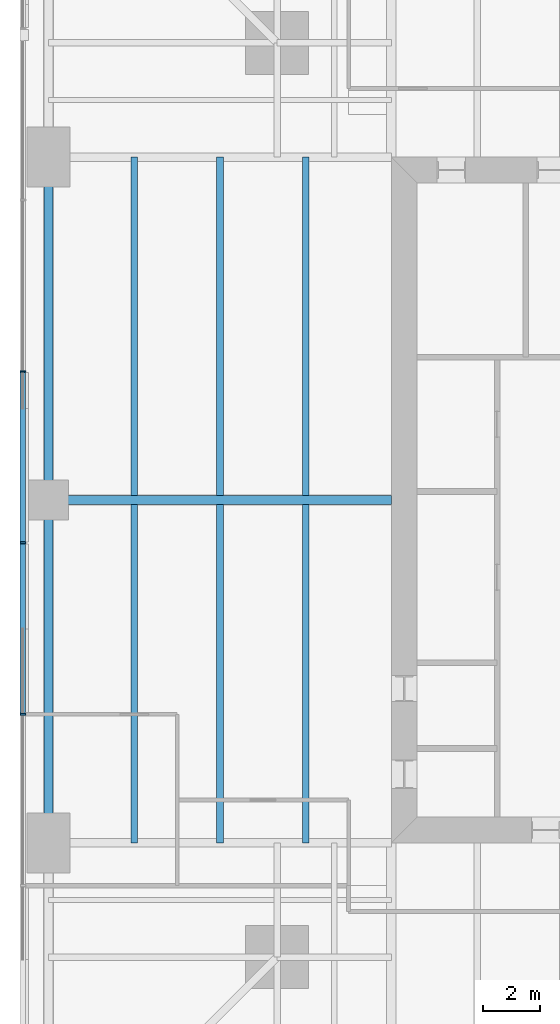
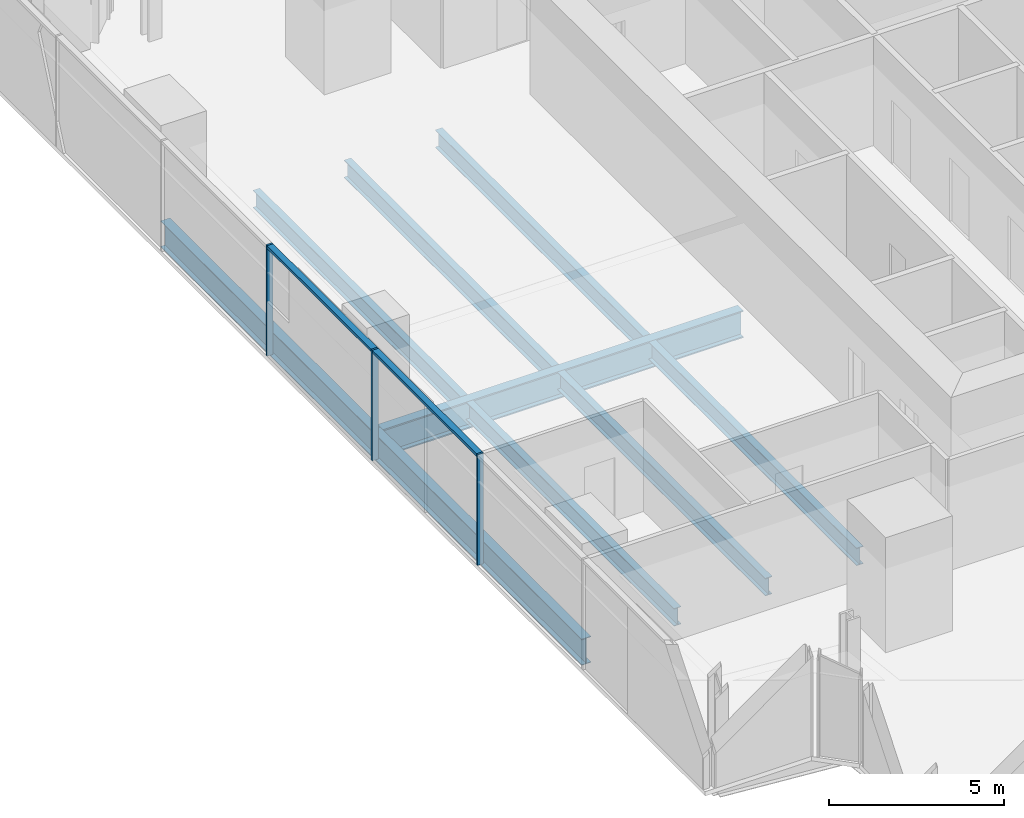
# One storey, part 4 of 13: 9 beams, 5 members, 1 element without a shape of its own.
"""IFC4 building model written with IfcOpenShell, lengths in metres."""

from ifc_helpers import new_model, si_unit, direction, frame, origin, origin_2d, place, context, subcontext, project, spatial, rectangle, i_section, extrude, material, material_profile, profile_set, type_object, element, aggregate, save


model = new_model("IFC4")

# Units and contexts
model_context = context("Model", 3, precision=1e-05, world=origin(), true_north=direction((0.0, 1.0)))
body_context = subcontext(model_context, "Body", "Model", "MODEL_VIEW")
ifc_project = project(units=[si_unit("LENGTHUNIT", "METRE"), si_unit("AREAUNIT", "SQUARE_METRE"), si_unit("VOLUMEUNIT", "CUBIC_METRE"), si_unit("PLANEANGLEUNIT", "RADIAN"), si_unit("MASSUNIT", "GRAM", prefix="KILO")], contexts=[model_context])

# Site, building, storey
site_placement = place(None, origin())
site = spatial("IfcSite", under=ifc_project, at=site_placement, CompositionType="ELEMENT")
building_placement = place(site_placement, origin())
building = spatial("IfcBuilding", under=site, at=building_placement, Name="Fenwick Lantern Interchange", CompositionType="ELEMENT")
storey_placement = place(building_placement, frame((0.0, 0.0, 110.39990234375)))
storey = spatial("IfcBuildingStorey", under=building, at=storey_placement, Name="L25", CompositionType="ELEMENT", Elevation=110.39990234375)

# Beams
ifc_material_1 = material(Name="Steel ASTM A992 Grade 50", Category="steel")
ifc_material_profile_1 = material_profile(ifc_material_1, i_section(OverallWidth=0.3046875, OverallDepth=0.911865234375, WebThickness=0.015869140625, FlangeThickness=0.02392578125, at=origin_2d()), Name="W36X150")
ifc_profile_set_1 = profile_set([ifc_material_profile_1], Name="Steel ASTM A992 Grade 50")
beam_type_1 = type_object("IfcBeamType", Name="EDGE BEAM W36X150", PredefinedType="SPANDREL", material=ifc_profile_set_1)
for number, where, z_axis, x_axis, name in (
    (1, (1.0, 37.0, -0.605712890625), (0.0, -1.0, 0.0), (1.0, 0.0, 0.0), "L25/FR/W/EB2"),
    (2, (1.0, 25.0, -0.605712890625), (0.0, -1.0, 0.0), (1.0, 0.0, 0.0), "L25/FR/W/EB3"),
):
    element("IfcBeam", number, at=place(storey_placement, frame(where, z_axis=z_axis, x_axis=x_axis)), inside=storey, type_object=beam_type_1, Name=name, PredefinedType="SPANDREL", context=body_context, shape_type="SweptSolid", body=[
        extrude(i_section(OverallWidth=0.3046875, OverallDepth=0.911865234375, WebThickness=0.015869140625, FlangeThickness=0.02392578125, at=origin_2d()), origin(), (0.0, 0.0, 1.0), 12.0),
    ])
ifc_material_profile_2 = material_profile(ifc_material_1, i_section(OverallWidth=0.22900390625, OverallDepth=0.612060546875, WebThickness=0.011962890625, FlangeThickness=0.01953125, at=origin_2d()), Name="W24X84")
ifc_profile_set_2 = profile_set([ifc_material_profile_2], Name="Steel ASTM A992 Grade 50")
beam_type_2 = type_object("IfcBeamType", Name="FLOOR BEAM W24X84", PredefinedType="BEAM", material=ifc_profile_set_2)
for number, where, z_axis, x_axis, name in (
    (3, (4.0, 37.0, -0.4560546875), (0.0, -1.0, 0.0), (1.0, 0.0, 0.0), "L25/FR/W/B01"),
    (4, (7.0, 37.0, -0.4560546875), (0.0, -1.0, 0.0), (1.0, 0.0, 0.0), "L25/FR/W/B02"),
    (5, (10.0, 37.0, -0.4560546875), (0.0, -1.0, 0.0), (1.0, 0.0, 0.0), "L25/FR/W/B03"),
    (6, (4.0, 24.844970703125, -0.4560546875), (0.0, -1.0, 0.0), (1.0, 0.0, 0.0), "L25/FR/W/B04"),
    (7, (7.0, 24.844970703125, -0.4560546875), (0.0, -1.0, 0.0), (1.0, 0.0, 0.0), "L25/FR/W/B05"),
    (8, (10.0, 24.844970703125, -0.4560546875), (0.0, -1.0, 0.0), (1.0, 0.0, 0.0), "L25/FR/W/B06"),
):
    element("IfcBeam", number, at=place(storey_placement, frame(where, z_axis=z_axis, x_axis=x_axis)), inside=storey, type_object=beam_type_2, Name=name, PredefinedType="BEAM", context=body_context, shape_type="SweptSolid", body=[
        extrude(i_section(OverallWidth=0.22900390625, OverallDepth=0.612060546875, WebThickness=0.011962890625, FlangeThickness=0.01953125, at=origin_2d()), origin(), (0.0, 0.0, 1.0), 11.844970703125),
    ])
ifc_material_profile_3 = material_profile(ifc_material_1, i_section(OverallWidth=0.309814453125, OverallDepth=0.949951171875, WebThickness=0.0244140625, FlangeThickness=0.0439453125, at=origin_2d()), Name="W36X256")
ifc_profile_set_3 = profile_set([ifc_material_profile_3], Name="Steel ASTM A992 Grade 50")
beam_type_3 = type_object("IfcBeamType", Name="MOMENT-CONNECTED GIRDER W36X256", PredefinedType="BEAM", material=ifc_profile_set_3)
beam_placement = place(storey_placement, frame((1.0, 25.0, -0.625), z_axis=(1.0, 0.0, 0.0), x_axis=(0.0, 1.0, 0.0)))
element("IfcBeam", 9, at=beam_placement, inside=storey, type_object=beam_type_3, Name="L25/FR/W/R02", PredefinedType="BEAM", context=body_context, shape_type="SweptSolid", body=[
    extrude(i_section(OverallWidth=0.309814453125, OverallDepth=0.949951171875, WebThickness=0.0244140625, FlangeThickness=0.0439453125, at=origin_2d()), origin(), (0.0, 0.0, 1.0), 12.0),
])

# Curtain wall, members
ifc_material_2 = material(Name="Aluminium curtain wall frame", Category="aluminium")
curtain_wall_type = type_object("IfcCurtainWallType", Name="OFFICE CURTAIN WALL", PredefinedType="USERDEFINED", material=ifc_material_2)
curtain_wall_placement = place(storey_placement, origin())
curtain_wall = element("IfcCurtainWall", 10, at=curtain_wall_placement, inside=storey, type_object=curtain_wall_type, Name="Office curtain wall 13", ObjectType="OFFICE CURTAIN WALL", PredefinedType="USERDEFINED")
ifc_material_3 = material(Name="Aluminium extrusion", Category="aluminium")
ifc_material_profile_4 = material_profile(ifc_material_3, rectangle(XDim=0.199951171875, YDim=0.06494140625, at=origin_2d()), Name="OFFICE CURTAIN WALL MULLION 65 X 200")
ifc_profile_set_4 = profile_set([ifc_material_profile_4], Name="Aluminium extrusion")
member_type_1 = type_object("IfcMemberType", Name="OFFICE CURTAIN WALL MULLION 65 X 200", PredefinedType="MULLION", material=ifc_profile_set_4)
member_1_placement = place(storey_placement, frame((0.10009765625, 29.5, 0.0), z_axis=(0.0, 0.0, 1.0), x_axis=(1.0, 0.0, 0.0)))
member_1 = element("IfcMember", 11, at=member_1_placement, type_object=member_type_1, Name="L25/CW/13/M03", PredefinedType="MULLION", context=body_context, shape_type="SweptSolid", body=[
    extrude(rectangle(XDim=0.199951171875, YDim=0.06494140625, at=origin_2d()), origin(), (0.0, 0.0, 1.0), 3.85009765625),
])
member_2_placement = place(storey_placement, frame((0.10009765625, 23.5, 0.0), z_axis=(0.0, 0.0, 1.0), x_axis=(1.0, 0.0, 0.0)))
member_2 = element("IfcMember", 12, at=member_2_placement, type_object=member_type_1, Name="L25/CW/13/M04", PredefinedType="MULLION", context=body_context, shape_type="SweptSolid", body=[
    extrude(rectangle(XDim=0.199951171875, YDim=0.06494140625, at=origin_2d()), origin(), (0.0, 0.0, 1.0), 3.85009765625),
])
member_3_placement = place(storey_placement, frame((0.10009765625, 17.5, 0.0), z_axis=(0.0, 0.0, 1.0), x_axis=(1.0, 0.0, 0.0)))
member_3 = element("IfcMember", 13, at=member_3_placement, type_object=member_type_1, Name="L25/CW/13/M05", PredefinedType="MULLION", context=body_context, shape_type="SweptSolid", body=[
    extrude(rectangle(XDim=0.199951171875, YDim=0.06494140625, at=origin_2d()), origin(), (0.0, 0.0, 1.0), 3.85009765625),
])
ifc_material_profile_5 = material_profile(ifc_material_3, rectangle(XDim=0.199951171875, YDim=0.10009765625, at=origin_2d()), Name="OFFICE CURTAIN WALL TRANSOM 100 X 200")
ifc_profile_set_5 = profile_set([ifc_material_profile_5], Name="Aluminium extrusion")
member_type_2 = type_object("IfcMemberType", Name="OFFICE CURTAIN WALL TRANSOM 100 X 200", PredefinedType="MULLION", material=ifc_profile_set_5)
member_4_placement = place(storey_placement, frame((0.10009765625, 29.467529296875, 3.800048828125), z_axis=(0.0, -1.0, 0.0), x_axis=(1.0, 0.0, 0.0)))
member_4 = element("IfcMember", 14, at=member_4_placement, type_object=member_type_2, Name="L25/CW/13/T03", PredefinedType="MULLION", context=body_context, shape_type="SweptSolid", body=[
    extrude(rectangle(XDim=0.199951171875, YDim=0.10009765625, at=origin_2d()), origin(), (0.0, 0.0, 1.0), 5.93505859375),
])
member_5_placement = place(storey_placement, frame((0.10009765625, 23.467529296875, 3.800048828125), z_axis=(0.0, -1.0, 0.0), x_axis=(1.0, 0.0, 0.0)))
member_5 = element("IfcMember", 15, at=member_5_placement, type_object=member_type_2, Name="L25/CW/13/T04", PredefinedType="MULLION", context=body_context, shape_type="SweptSolid", body=[
    extrude(rectangle(XDim=0.199951171875, YDim=0.10009765625, at=origin_2d()), origin(), (0.0, 0.0, 1.0), 5.93505859375),
])
aggregate(curtain_wall, [member_1, member_2, member_3, member_4, member_5])

save(model, "model.ifc")
